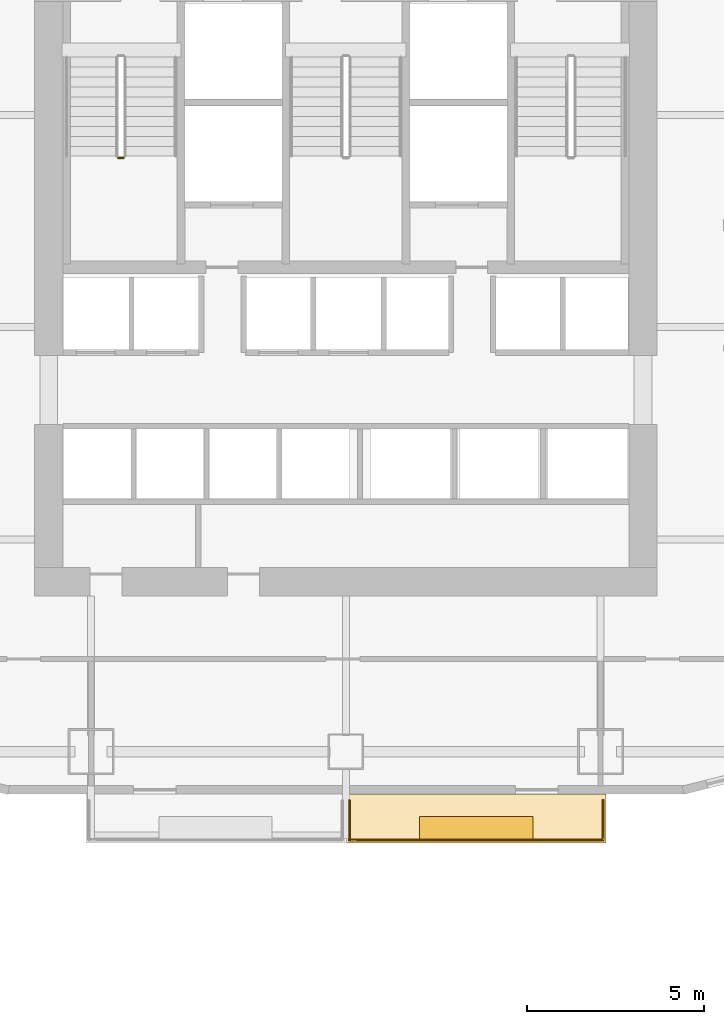
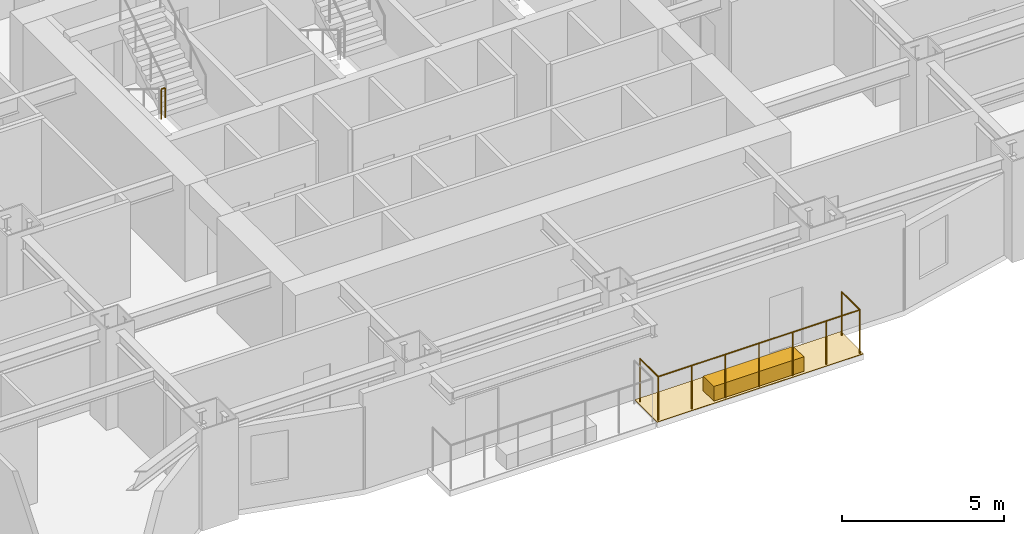
# One storey, part 14 of 17: 3 railings, 2 coverings.
"""IFC4 building model written with IfcOpenShell, lengths in metres."""

from ifc_helpers import new_model, si_unit, direction, frame, origin, origin_2d, place, context, subcontext, project, spatial, polyline, rectangle, circle, outline, extrude, material, layer, layer_set, type_object, element, save


model = new_model("IFC4")

# Units and contexts
model_context = context("Model", 3, precision=1e-05, world=origin(), true_north=direction((0.0, 1.0)))
body_context = subcontext(model_context, "Body", "Model", "MODEL_VIEW")
ifc_project = project(units=[si_unit("LENGTHUNIT", "METRE"), si_unit("AREAUNIT", "SQUARE_METRE"), si_unit("VOLUMEUNIT", "CUBIC_METRE"), si_unit("PLANEANGLEUNIT", "RADIAN"), si_unit("MASSUNIT", "GRAM", prefix="KILO")], contexts=[model_context])

# Site, building, storey
site_placement = place(None, origin())
site = spatial("IfcSite", under=ifc_project, at=site_placement, CompositionType="ELEMENT")
building_placement = place(site_placement, origin())
building = spatial("IfcBuilding", under=site, at=building_placement, Name="Haolan Belvedere Tower", CompositionType="ELEMENT")
storey_placement = place(building_placement, frame((0.0, 0.0, 27.800048828125)))
storey = spatial("IfcBuildingStorey", under=building, at=storey_placement, Name="L06", CompositionType="ELEMENT", Elevation=27.800048828125)

# Coverings
ifc_material_1 = material(Name="Engineered lightweight planted garden soil substrate", Category="masonry")
ifc_layer_1 = layer(ifc_material_1, 0.550048828125, Name="Engineered lightweight planted garden soil substrate")
ifc_layer_set_1 = layer_set([ifc_layer_1], Name="Engineered lightweight planted garden soil substrate")
covering_type_1 = type_object("IfcCoveringType", Name="COV-PLANT-550", PredefinedType="MEMBRANE", material=ifc_layer_set_1)
covering_1_placement = place(storey_placement, frame((42.0849609375, 19.43994140625, 0.0), z_axis=(0.0, 0.0, 1.0), x_axis=(1.0, 0.0, 0.0)))
element("IfcCovering", 1, at=covering_1_placement, inside=storey, type_object=covering_type_1, Name="L06 structural tree balcony PLANTER box 2", PredefinedType="MEMBRANE", context=body_context, shape_type="SweptSolid", body=[
    extrude(rectangle(XDim=3.199951171875, YDim=0.64990234375, at=origin_2d()), origin(), (0.0, 0.0, 1.0), 0.550048828125),
])
ifc_material_2 = material(Name="Elastomeric waterproof roofing membrane and stone pavers", Category="masonry")
ifc_layer_2 = layer(ifc_material_2, 0.02001953125, Name="Elastomeric waterproof roofing membrane and stone pavers")
ifc_layer_set_2 = layer_set([ifc_layer_2], Name="Elastomeric waterproof roofing membrane and stone pavers")
covering_type_2 = type_object("IfcCoveringType", Name="COV-ROOF-20", PredefinedType="ROOFING", material=ifc_layer_set_2)
covering_2_placement = place(storey_placement, frame((0.0, 0.0, -0.02001953125)))
element("IfcCovering", 2, at=covering_2_placement, inside=storey, type_object=covering_type_2, Name="L06 tree-balcony waterproof membrane 2", PredefinedType="ROOFING", context=body_context, shape_type="SweptSolid", body=[
    extrude(outline(polyline([(38.419921875, 19.02001953125), (45.75, 19.02001953125), (45.75, 20.39990234375), (38.419921875, 20.39990234375), (38.419921875, 19.02001953125)])), origin(), (0.0, 0.0, 1.0), 0.02001953125),
])

# Railings
ifc_material_3 = material(Name="Brushed stainless steel 304", Category="steel")
railing_type_1 = type_object("IfcRailingType", Name="RL-STAIR-GRD-1150", PredefinedType="GUARDRAIL", material=ifc_material_3)
railing_1_placement = place(storey_placement, frame((31.969970703125, 38.3798828125, 1.89990234375)))
element("IfcRailing", 3, at=railing_1_placement, inside=storey, type_object=railing_type_1, Name="L06 ST1 stair guard 2", PredefinedType="GUARDRAIL", context=body_context, shape_type="SweptSolid", body=[
    extrude(circle(Radius=0.02392578125, at=origin_2d()), frame((0.0, 0.0, 1.1259765625), z_axis=(1.0, 0.0, 0.0), x_axis=(0.0, 1.0, 0.0)), (0.0, 0.0, 1.0), 0.14013671875),
    extrude(circle(Radius=0.02099609375, at=origin_2d()), origin(), (0.0, 0.0, 1.0), 1.101806640625),
    extrude(circle(Radius=0.02099609375, at=origin_2d()), frame((0.14013671875, 0.0, 0.0)), (0.0, 0.0, 1.0), 1.101806640625),
])
ifc_material_4 = material(Name="Anodised aluminium and laminated glass balustrade", Category="aluminium")
railing_type_2 = type_object("IfcRailingType", Name="RL-TER-BAL-1150", PredefinedType="BALUSTRADE", material=ifc_material_4)
railing_2_placement = place(storey_placement, frame((38.5, 19.10009765625, 0.0)))
element("IfcRailing", 4, at=railing_2_placement, inside=storey, type_object=railing_type_2, Name="L06 outdoor perimeter balustrade BAL-L06-2-1", PredefinedType="BALUSTRADE", context=body_context, shape_type="SweptSolid", body=[
    extrude(circle(Radius=0.02392578125, at=origin_2d()), frame((0.0, 0.0, 1.6259765625), z_axis=(0.0, 1.0, 0.0), x_axis=(-1.0, 0.0, 0.0)), (0.0, 0.0, 1.0), 1.119873046875),
    extrude(circle(Radius=0.02099609375, at=origin_2d()), origin(), (0.0, 0.0, 1.0), 1.601806640625),
    extrude(circle(Radius=0.02099609375, at=origin_2d()), frame((0.0, 1.119873046875, 0.0)), (0.0, 0.0, 1.0), 1.601806640625),
])
railing_3_placement = place(storey_placement, frame((45.669921875, 20.219970703125, 0.0)))
element("IfcRailing", 5, at=railing_3_placement, inside=storey, type_object=railing_type_2, Name="L06 outdoor perimeter balustrade BAL-L06-2-2", PredefinedType="BALUSTRADE", context=body_context, shape_type="SweptSolid", body=[
    extrude(circle(Radius=0.02392578125, at=origin_2d()), frame((0.0, 0.0, 1.6259765625), z_axis=(0.0, -1.0, 0.0), x_axis=(1.0, 0.0, 0.0)), (0.0, 0.0, 1.0), 1.119873046875),
    extrude(circle(Radius=0.02392578125, at=origin_2d()), frame((0.0, -1.119873046875, 1.6259765625), z_axis=(-1.0, 0.0, 0.0), x_axis=(0.0, -1.0, 0.0)), (0.0, 0.0, 1.0), 7.169921875),
    extrude(circle(Radius=0.02099609375, at=origin_2d()), origin(), (0.0, 0.0, 1.0), 1.601806640625),
    extrude(circle(Radius=0.02099609375, at=origin_2d()), frame((0.0, -1.119873046875, 0.0)), (0.0, 0.0, 1.0), 1.601806640625),
    extrude(circle(Radius=0.02099609375, at=origin_2d()), frame((-1.195068359375, -1.119873046875, 0.0)), (0.0, 0.0, 1.0), 1.601806640625),
    extrude(circle(Radius=0.02099609375, at=origin_2d()), frame((-2.389892578125, -1.119873046875, 0.0)), (0.0, 0.0, 1.0), 1.601806640625),
    extrude(circle(Radius=0.02099609375, at=origin_2d()), frame((-3.5849609375, -1.119873046875, 0.0)), (0.0, 0.0, 1.0), 1.601806640625),
    extrude(circle(Radius=0.02099609375, at=origin_2d()), frame((-4.780029296875, -1.119873046875, 0.0)), (0.0, 0.0, 1.0), 1.601806640625),
    extrude(circle(Radius=0.02099609375, at=origin_2d()), frame((-5.974853515625, -1.119873046875, 0.0)), (0.0, 0.0, 1.0), 1.601806640625),
    extrude(circle(Radius=0.02099609375, at=origin_2d()), frame((-7.169921875, -1.119873046875, 0.0)), (0.0, 0.0, 1.0), 1.601806640625),
])

save(model, "model.ifc")
